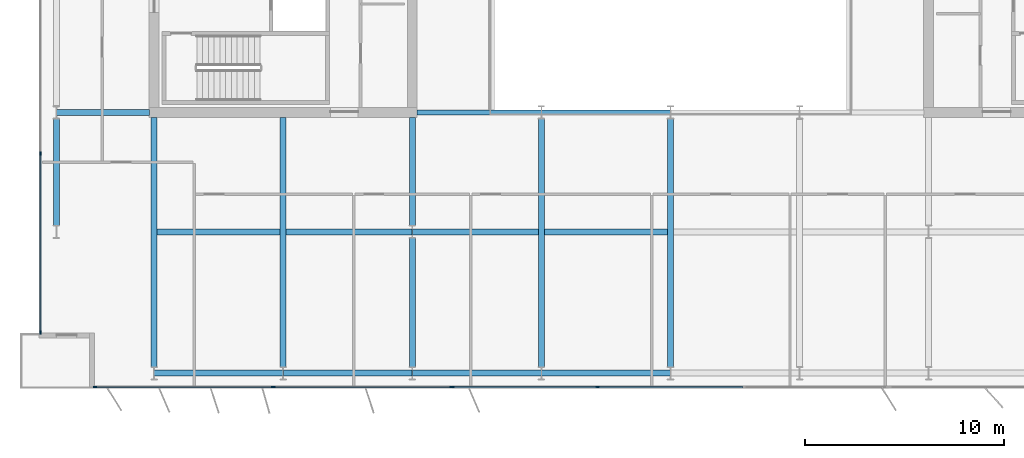
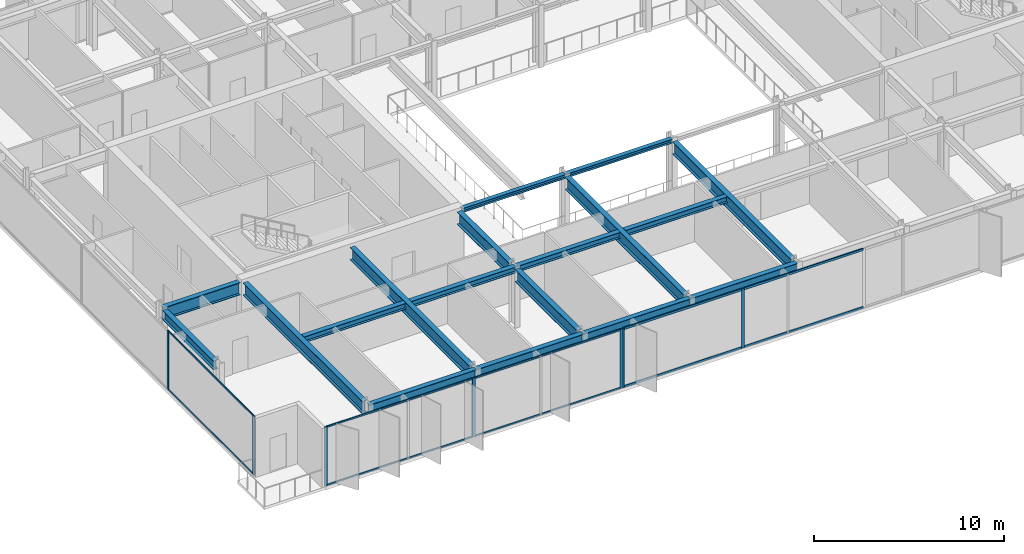
# One storey, part 4 of 20: 18 beams, 17 members, 3 elements without a shape of their own.
"""IFC4 building model written with IfcOpenShell, lengths in metres."""

from ifc_helpers import new_model, si_unit, direction, frame, origin, origin_2d, place, context, subcontext, project, spatial, rectangle, i_section, extrude, material, layer, layer_set, material_profile, profile_set, type_object, element, aggregate, save


model = new_model("IFC4")

# Units and contexts
model_context = context("Model", 3, precision=1e-05, world=origin(), true_north=direction((0.0, 1.0)))
body_context = subcontext(model_context, "Body", "Model", "MODEL_VIEW")
ifc_project = project(units=[si_unit("LENGTHUNIT", "METRE"), si_unit("AREAUNIT", "SQUARE_METRE"), si_unit("VOLUMEUNIT", "CUBIC_METRE"), si_unit("PLANEANGLEUNIT", "RADIAN"), si_unit("MASSUNIT", "GRAM", prefix="KILO")], contexts=[model_context])

# Site, building, storey
site_placement = place(None, origin())
site = spatial("IfcSite", under=ifc_project, at=site_placement, CompositionType="ELEMENT")
building_placement = place(site_placement, origin())
building = spatial("IfcBuilding", under=site, at=building_placement, Name="Putna Gate Headquarters", CompositionType="ELEMENT")
storey_placement = place(building_placement, frame((0.0, 0.0, 286.39990234375)))
storey = spatial("IfcBuildingStorey", under=building, at=storey_placement, Name="L72", CompositionType="ELEMENT", Elevation=286.39990234375)

# Beams
ifc_material_1 = material(Name="Steel S355J2", Category="steel")
ifc_material_profile_1 = material_profile(ifc_material_1, i_section(OverallWidth=0.260009765625, OverallDepth=0.260009765625, WebThickness=0.010009765625, FlangeThickness=0.017578125, at=origin_2d()), Name="Steel S355J2")
ifc_profile_set_1 = profile_set([ifc_material_profile_1], Name="Steel S355J2")
beam_type_1 = type_object("IfcBeamType", Name="BM-ATRIUM-HEB260", PredefinedType="BEAM", material=ifc_profile_set_1)
beam_1_placement = place(storey_placement, frame((26.235107421875, 19.0, 3.658203125), z_axis=(1.0, 0.0, 0.0), x_axis=(0.0, 1.0, 0.0)))
element("IfcBeam", 1, at=beam_1_placement, inside=storey, type_object=beam_type_1, Name="L72 Atrium Edge Beam AS1", PredefinedType="BEAM", context=body_context, shape_type="SweptSolid", body=[
    extrude(i_section(OverallWidth=0.260009765625, OverallDepth=0.260009765625, WebThickness=0.010009765625, FlangeThickness=0.017578125, at=origin_2d()), origin(), (0.0, 0.0, 1.0), 6.2587890625),
])
beam_2_placement = place(storey_placement, frame((32.506103515625, 19.0, 3.658203125), z_axis=(1.0, 0.0, 0.0), x_axis=(0.0, 1.0, 0.0)))
element("IfcBeam", 2, at=beam_2_placement, inside=storey, type_object=beam_type_1, Name="L72 Atrium Edge Beam AS2", PredefinedType="BEAM", context=body_context, shape_type="SweptSolid", body=[
    extrude(i_section(OverallWidth=0.260009765625, OverallDepth=0.260009765625, WebThickness=0.010009765625, FlangeThickness=0.017578125, at=origin_2d()), origin(), (0.0, 0.0, 1.0), 6.48779296875),
])
ifc_material_profile_2 = material_profile(ifc_material_1, i_section(OverallWidth=0.300048828125, OverallDepth=0.800048828125, WebThickness=0.017578125, FlangeThickness=0.032958984375, at=origin_2d()), Name="Steel S355J2")
ifc_profile_set_2 = profile_set([ifc_material_profile_2], Name="Steel S355J2")
beam_type_2 = type_object("IfcBeamType", Name="BM-GIRD-P-HEB800", PredefinedType="USERDEFINED", material=ifc_profile_set_2)
beam_3_placement = place(storey_placement, frame((8.0859375, 19.0, 3.38818359375), z_axis=(1.0, 0.0, 0.0), x_axis=(0.0, 1.0, 0.0)))
element("IfcBeam", 3, at=beam_3_placement, inside=storey, type_object=beam_type_2, Name="L72 West Wing Girder Y19", ObjectType="GIRDER", PredefinedType="USERDEFINED", context=body_context, shape_type="SweptSolid", body=[
    extrude(i_section(OverallWidth=0.300048828125, OverallDepth=0.800048828125, WebThickness=0.017578125, FlangeThickness=0.032958984375, at=origin_2d()), origin(), (0.0, 0.0, 1.0), 4.678955078125),
])
for number, where, z_axis, x_axis, name in (
    (4, (13.0, 6.201904296875, 3.38818359375), (0.0, 1.0, 0.0), (-1.0, 0.0, 0.0), "L72 South Primary Girder X13"),
    (5, (19.5, 6.201904296875, 3.38818359375), (0.0, 1.0, 0.0), (-1.0, 0.0, 0.0), "L72 South Primary Girder X19"),
):
    element("IfcBeam", number, at=place(storey_placement, frame(where, z_axis=z_axis, x_axis=x_axis)), inside=storey, type_object=beam_type_2, Name=name, ObjectType="GIRDER", PredefinedType="USERDEFINED", context=body_context, shape_type="SweptSolid", body=[
        extrude(i_section(OverallWidth=0.300048828125, OverallDepth=0.800048828125, WebThickness=0.017578125, FlangeThickness=0.032958984375, at=origin_2d()), origin(), (0.0, 0.0, 1.0), 12.56298828125),
    ])
beam_4_placement = place(storey_placement, frame((26.0, 6.201904296875, 3.38818359375), z_axis=(0.0, 1.0, 0.0), x_axis=(-1.0, 0.0, 0.0)))
element("IfcBeam", 6, at=beam_4_placement, inside=storey, type_object=beam_type_2, Name="L72 South Primary Girder X26-1", ObjectType="GIRDER", PredefinedType="USERDEFINED", context=body_context, shape_type="SweptSolid", body=[
    extrude(i_section(OverallWidth=0.300048828125, OverallDepth=0.800048828125, WebThickness=0.017578125, FlangeThickness=0.032958984375, at=origin_2d()), origin(), (0.0, 0.0, 1.0), 6.47607421875),
])
beam_5_placement = place(storey_placement, frame((26.0, 13.322021484375, 3.38818359375), z_axis=(0.0, 1.0, 0.0), x_axis=(-1.0, 0.0, 0.0)))
element("IfcBeam", 7, at=beam_5_placement, inside=storey, type_object=beam_type_2, Name="L72 South Primary Girder X26-2", ObjectType="GIRDER", PredefinedType="USERDEFINED", context=body_context, shape_type="SweptSolid", body=[
    extrude(i_section(OverallWidth=0.300048828125, OverallDepth=0.800048828125, WebThickness=0.017578125, FlangeThickness=0.032958984375, at=origin_2d()), origin(), (0.0, 0.0, 1.0), 5.44287109375),
])
for number, where, z_axis, x_axis, name in (
    (8, (32.5, 6.201904296875, 3.38818359375), (0.0, 1.0, 0.0), (-1.0, 0.0, 0.0), "L72 South Primary Girder X32"),
    (9, (39.0, 6.201904296875, 3.38818359375), (0.0, 1.0, 0.0), (-1.0, 0.0, 0.0), "L72 South Primary Girder X39"),
):
    element("IfcBeam", number, at=place(storey_placement, frame(where, z_axis=z_axis, x_axis=x_axis)), inside=storey, type_object=beam_type_2, Name=name, ObjectType="GIRDER", PredefinedType="USERDEFINED", context=body_context, shape_type="SweptSolid", body=[
        extrude(i_section(OverallWidth=0.300048828125, OverallDepth=0.800048828125, WebThickness=0.017578125, FlangeThickness=0.032958984375, at=origin_2d()), origin(), (0.0, 0.0, 1.0), 12.47607421875),
    ])
ifc_material_profile_3 = material_profile(ifc_material_1, i_section(OverallWidth=0.300048828125, OverallDepth=0.389892578125, WebThickness=0.010986328125, FlangeThickness=0.01904296875, at=origin_2d()), Name="Steel S355J2")
ifc_profile_set_3 = profile_set([ifc_material_profile_3], Name="Steel S355J2")
beam_type_3 = type_object("IfcBeamType", Name="BM-SEC-Z5-HEA400", PredefinedType="BEAM", material=ifc_profile_set_3)
beam_6_placement = place(storey_placement, frame((13.154052734375, 13.0, 3.593017578125), z_axis=(1.0, 0.0, 0.0), x_axis=(0.0, 1.0, 0.0)))
element("IfcBeam", 10, at=beam_6_placement, inside=storey, type_object=beam_type_3, Name="L72 South Secondary Beam 1", PredefinedType="BEAM", context=body_context, shape_type="SweptSolid", body=[
    extrude(i_section(OverallWidth=0.300048828125, OverallDepth=0.389892578125, WebThickness=0.010986328125, FlangeThickness=0.01904296875, at=origin_2d()), origin(), (0.0, 0.0, 1.0), 6.19189453125),
])
for number, where, z_axis, x_axis, name in (
    (11, (19.654052734375, 13.0, 3.593017578125), (1.0, 0.0, 0.0), (0.0, 1.0, 0.0), "L72 South Secondary Beam 2"),
    (12, (26.006103515625, 13.0, 3.593017578125), (1.0, 0.0, 0.0), (0.0, 1.0, 0.0), "L72 South Secondary Beam 3"),
):
    element("IfcBeam", number, at=place(storey_placement, frame(where, z_axis=z_axis, x_axis=x_axis)), inside=storey, type_object=beam_type_3, Name=name, PredefinedType="BEAM", context=body_context, shape_type="SweptSolid", body=[
        extrude(i_section(OverallWidth=0.300048828125, OverallDepth=0.389892578125, WebThickness=0.010986328125, FlangeThickness=0.01904296875, at=origin_2d()), origin(), (0.0, 0.0, 1.0), 6.33984375),
    ])
beam_7_placement = place(storey_placement, frame((32.654052734375, 13.0, 3.593017578125), z_axis=(1.0, 0.0, 0.0), x_axis=(0.0, 1.0, 0.0)))
element("IfcBeam", 13, at=beam_7_placement, inside=storey, type_object=beam_type_3, Name="L72 South Secondary Beam 4", PredefinedType="BEAM", context=body_context, shape_type="SweptSolid", body=[
    extrude(i_section(OverallWidth=0.300048828125, OverallDepth=0.389892578125, WebThickness=0.010986328125, FlangeThickness=0.01904296875, at=origin_2d()), origin(), (0.0, 0.0, 1.0), 6.19189453125),
])
ifc_material_profile_4 = material_profile(ifc_material_1, i_section(OverallWidth=0.300048828125, OverallDepth=0.590087890625, WebThickness=0.012939453125, FlangeThickness=0.02490234375, at=origin_2d()), Name="Steel S355J2")
ifc_profile_set_4 = profile_set([ifc_material_profile_4], Name="Steel S355J2")
beam_type_4 = type_object("IfcBeamType", Name="BM-SPAN-Z4-HEA600", PredefinedType="SPANDREL", material=ifc_profile_set_4)
for number, where, z_axis, x_axis, name in (
    (14, (13.006103515625, 5.8798828125, 3.4931640625), (1.0, 0.0, 0.0), (0.0, 1.0, 0.0), "L72 S Perimeter Spandrel 1"),
    (15, (19.506103515625, 5.8798828125, 3.4931640625), (1.0, 0.0, 0.0), (0.0, 1.0, 0.0), "L72 S Perimeter Spandrel 2"),
    (16, (26.006103515625, 5.8798828125, 3.4931640625), (1.0, 0.0, 0.0), (0.0, 1.0, 0.0), "L72 S Perimeter Spandrel 3"),
    (17, (32.506103515625, 5.8798828125, 3.4931640625), (1.0, 0.0, 0.0), (0.0, 1.0, 0.0), "L72 S Perimeter Spandrel 4"),
):
    element("IfcBeam", number, at=place(storey_placement, frame(where, z_axis=z_axis, x_axis=x_axis)), inside=storey, type_object=beam_type_4, Name=name, PredefinedType="SPANDREL", context=body_context, shape_type="SweptSolid", body=[
        extrude(i_section(OverallWidth=0.300048828125, OverallDepth=0.590087890625, WebThickness=0.012939453125, FlangeThickness=0.02490234375, at=origin_2d()), origin(), (0.0, 0.0, 1.0), 6.48779296875),
    ])
beam_8_placement = place(storey_placement, frame((8.080078125, 13.322021484375, 3.4931640625), z_axis=(0.0, 1.0, 0.0), x_axis=(-1.0, 0.0, 0.0)))
element("IfcBeam", 18, at=beam_8_placement, inside=storey, type_object=beam_type_4, Name="L72 W End Spandrel 1", PredefinedType="SPANDREL", context=body_context, shape_type="SweptSolid", body=[
    extrude(i_section(OverallWidth=0.300048828125, OverallDepth=0.590087890625, WebThickness=0.012939453125, FlangeThickness=0.02490234375, at=origin_2d()), origin(), (0.0, 0.0, 1.0), 5.35595703125),
])

# Curtain wall, members
ifc_material_2 = material(Name="Anodised bronze aluminium curtain wall", Category="aluminium")
ifc_layer_1 = layer(ifc_material_2, 0.179931640625)
ifc_layer_set_1 = layer_set([ifc_layer_1], Name="Anodised bronze aluminium curtain wall")
curtain_wall_type_1 = type_object("IfcCurtainWallType", Name="CW-SYS-Z5", PredefinedType="USERDEFINED", material=ifc_layer_set_1)
curtain_wall_1_placement = place(storey_placement, origin())
curtain_wall_1 = element("IfcCurtainWall", 19, at=curtain_wall_1_placement, inside=storey, type_object=curtain_wall_type_1, Name="L72 South West Curtain Wall", ObjectType="STICK CURTAIN WALL", PredefinedType="USERDEFINED")
ifc_material_3 = material(Name="Anodised bronze aluminium EN AW-6060", Category="aluminium")
ifc_material_profile_5 = material_profile(ifc_material_3, rectangle(XDim=0.070068359375, YDim=0.179931640625, at=origin_2d()), Name="Anodised bronze aluminium EN AW-6060")
ifc_profile_set_5 = profile_set([ifc_material_profile_5], Name="Anodised bronze aluminium EN AW-6060")
member_type_1 = type_object("IfcMemberType", Name="MULL-CWM-5", PredefinedType="MULLION", material=ifc_profile_set_5)
member_1_placement = place(storey_placement, frame((10.034912109375, 5.179931640625, 0.0), z_axis=(0.0, 0.0, 1.0), x_axis=(0.0, 1.0, 0.0)))
member_1 = element("IfcMember", 20, at=member_1_placement, type_object=member_type_1, Name="CWS-5 mullion 1", PredefinedType="MULLION", context=body_context, shape_type="SweptSolid", body=[
    extrude(rectangle(XDim=0.070068359375, YDim=0.179931640625, at=origin_2d()), origin(), (0.0, 0.0, 1.0), 3.7880859375),
])
member_2_placement = place(storey_placement, frame((19.0, 5.179931640625, 0.0), z_axis=(0.0, 0.0, 1.0), x_axis=(0.0, 1.0, 0.0)))
member_2 = element("IfcMember", 21, at=member_2_placement, type_object=member_type_1, Name="CWS-5 mullion 2", PredefinedType="MULLION", context=body_context, shape_type="SweptSolid", body=[
    extrude(rectangle(XDim=0.070068359375, YDim=0.179931640625, at=origin_2d()), origin(), (0.0, 0.0, 1.0), 3.7880859375),
])
member_3_placement = place(storey_placement, frame((27.965087890625, 5.179931640625, 0.0), z_axis=(0.0, 0.0, 1.0), x_axis=(0.0, 1.0, 0.0)))
member_3 = element("IfcMember", 22, at=member_3_placement, type_object=member_type_1, Name="CWS-5 mullion 3", PredefinedType="MULLION", context=body_context, shape_type="SweptSolid", body=[
    extrude(rectangle(XDim=0.070068359375, YDim=0.179931640625, at=origin_2d()), origin(), (0.0, 0.0, 1.0), 3.7880859375),
])

curtain_wall_2_placement = place(storey_placement, origin())
curtain_wall_2 = element("IfcCurtainWall", 23, at=curtain_wall_2_placement, inside=storey, type_object=curtain_wall_type_1, Name="L72 West Curtain Wall", ObjectType="STICK CURTAIN WALL", PredefinedType="USERDEFINED")
member_4_placement = place(storey_placement, frame((7.280029296875, 7.93505859375, 0.0), z_axis=(0.0, 0.0, 1.0), x_axis=(-1.0, 0.0, 0.0)))
member_4 = element("IfcMember", 24, at=member_4_placement, type_object=member_type_1, Name="CWS-5 mullion 1", PredefinedType="MULLION", context=body_context, shape_type="SweptSolid", body=[
    extrude(rectangle(XDim=0.070068359375, YDim=0.179931640625, at=origin_2d()), origin(), (0.0, 0.0, 1.0), 3.7880859375),
])
member_5_placement = place(storey_placement, frame((7.280029296875, 16.949951171875, 0.0), z_axis=(0.0, 0.0, 1.0), x_axis=(-1.0, 0.0, 0.0)))
member_5 = element("IfcMember", 25, at=member_5_placement, type_object=member_type_1, Name="CWS-5 mullion 2", PredefinedType="MULLION", context=body_context, shape_type="SweptSolid", body=[
    extrude(rectangle(XDim=0.070068359375, YDim=0.179931640625, at=origin_2d()), origin(), (0.0, 0.0, 1.0), 3.7880859375),
])

ifc_layer_2 = layer(ifc_material_2, 0.179931640625)
ifc_layer_set_2 = layer_set([ifc_layer_2], Name="Anodised bronze aluminium curtain wall")
curtain_wall_type_2 = type_object("IfcCurtainWallType", Name="CW-SYS-ATR", PredefinedType="USERDEFINED", material=ifc_layer_set_2)
curtain_wall_3_placement = place(storey_placement, origin())
curtain_wall_3 = element("IfcCurtainWall", 26, at=curtain_wall_3_placement, inside=storey, type_object=curtain_wall_type_2, Name="L72 South Atrium Clear Glazing", ObjectType="ATRIUM GLAZING", PredefinedType="USERDEFINED")
ifc_material_profile_6 = material_profile(ifc_material_3, rectangle(XDim=0.070068359375, YDim=0.179931640625, at=origin_2d()), Name="Anodised bronze aluminium EN AW-6060")
ifc_profile_set_6 = profile_set([ifc_material_profile_6], Name="Anodised bronze aluminium EN AW-6060")
member_type_2 = type_object("IfcMemberType", Name="MULL-CWM-AT", PredefinedType="MULLION", material=ifc_profile_set_6)
member_6_placement = place(storey_placement, frame((28.034912109375, 5.179931640625, 0.0), z_axis=(0.0, 0.0, 1.0), x_axis=(0.0, 1.0, 0.0)))
member_6 = element("IfcMember", 27, at=member_6_placement, type_object=member_type_2, Name="CWS-AT mullion 1", PredefinedType="MULLION", context=body_context, shape_type="SweptSolid", body=[
    extrude(rectangle(XDim=0.070068359375, YDim=0.179931640625, at=origin_2d()), origin(), (0.0, 0.0, 1.0), 3.7880859375),
])
member_7_placement = place(storey_placement, frame((35.333251953125, 5.179931640625, 0.0), z_axis=(0.0, 0.0, 1.0), x_axis=(0.0, 1.0, 0.0)))
member_7 = element("IfcMember", 28, at=member_7_placement, type_object=member_type_2, Name="CWS-AT mullion 2", PredefinedType="MULLION", context=body_context, shape_type="SweptSolid", body=[
    extrude(rectangle(XDim=0.070068359375, YDim=0.179931640625, at=origin_2d()), origin(), (0.0, 0.0, 1.0), 3.7880859375),
])

# Member
ifc_material_profile_7 = material_profile(ifc_material_3, rectangle(XDim=0.06005859375, YDim=0.10009765625, at=origin_2d()), Name="Anodised bronze aluminium EN AW-6060")
ifc_profile_set_7 = profile_set([ifc_material_profile_7], Name="Anodised bronze aluminium EN AW-6060")
member_type_3 = type_object("IfcMemberType", Name="TRAN-CWT-5", PredefinedType="USERDEFINED", material=ifc_profile_set_7)
member_8_placement = place(storey_placement, frame((10.070068359375, 5.179931640625, 0.030029296875), z_axis=(1.0, 0.0, 0.0), x_axis=(0.0, 1.0, 0.0)))
member_8 = element("IfcMember", 29, at=member_8_placement, type_object=member_type_3, Name="CWS-5 transom 1.1", ObjectType="TRANSOM", PredefinedType="USERDEFINED", context=body_context, shape_type="SweptSolid", body=[
    extrude(rectangle(XDim=0.06005859375, YDim=0.10009765625, at=origin_2d()), origin(), (0.0, 0.0, 1.0), 8.89501953125),
])

member_9_placement = place(storey_placement, frame((10.070068359375, 5.179931640625, 3.758056640625), z_axis=(1.0, 0.0, 0.0), x_axis=(0.0, 1.0, 0.0)))
member_9 = element("IfcMember", 30, at=member_9_placement, type_object=member_type_3, Name="CWS-5 transom 1.2", ObjectType="TRANSOM", PredefinedType="USERDEFINED", context=body_context, shape_type="SweptSolid", body=[
    extrude(rectangle(XDim=0.06005859375, YDim=0.10009765625, at=origin_2d()), origin(), (0.0, 0.0, 1.0), 8.89501953125),
])

member_10_placement = place(storey_placement, frame((19.034912109375, 5.179931640625, 0.030029296875), z_axis=(1.0, 0.0, 0.0), x_axis=(0.0, 1.0, 0.0)))
member_10 = element("IfcMember", 31, at=member_10_placement, type_object=member_type_3, Name="CWS-5 transom 2.1", ObjectType="TRANSOM", PredefinedType="USERDEFINED", context=body_context, shape_type="SweptSolid", body=[
    extrude(rectangle(XDim=0.06005859375, YDim=0.10009765625, at=origin_2d()), origin(), (0.0, 0.0, 1.0), 8.89501953125),
])

member_11_placement = place(storey_placement, frame((19.034912109375, 5.179931640625, 3.758056640625), z_axis=(1.0, 0.0, 0.0), x_axis=(0.0, 1.0, 0.0)))
member_11 = element("IfcMember", 32, at=member_11_placement, type_object=member_type_3, Name="CWS-5 transom 2.2", ObjectType="TRANSOM", PredefinedType="USERDEFINED", context=body_context, shape_type="SweptSolid", body=[
    extrude(rectangle(XDim=0.06005859375, YDim=0.10009765625, at=origin_2d()), origin(), (0.0, 0.0, 1.0), 8.89501953125),
])

aggregate(curtain_wall_1, [member_1, member_2, member_3, member_8, member_9, member_10, member_11])

member_12_placement = place(storey_placement, frame((7.280029296875, 7.969970703125, 0.030029296875), z_axis=(0.0, 1.0, 0.0), x_axis=(-1.0, 0.0, 0.0)))
member_12 = element("IfcMember", 33, at=member_12_placement, type_object=member_type_3, Name="CWS-5 transom 1.1", ObjectType="TRANSOM", PredefinedType="USERDEFINED", context=body_context, shape_type="SweptSolid", body=[
    extrude(rectangle(XDim=0.06005859375, YDim=0.10009765625, at=origin_2d()), origin(), (0.0, 0.0, 1.0), 8.945068359375),
])

member_13_placement = place(storey_placement, frame((7.280029296875, 7.969970703125, 3.758056640625), z_axis=(0.0, 1.0, 0.0), x_axis=(-1.0, 0.0, 0.0)))
member_13 = element("IfcMember", 34, at=member_13_placement, type_object=member_type_3, Name="CWS-5 transom 1.2", ObjectType="TRANSOM", PredefinedType="USERDEFINED", context=body_context, shape_type="SweptSolid", body=[
    extrude(rectangle(XDim=0.06005859375, YDim=0.10009765625, at=origin_2d()), origin(), (0.0, 0.0, 1.0), 8.945068359375),
])

aggregate(curtain_wall_2, [member_4, member_5, member_12, member_13])

ifc_material_profile_8 = material_profile(ifc_material_3, rectangle(XDim=0.070068359375, YDim=0.139892578125, at=origin_2d()), Name="Anodised bronze aluminium EN AW-6060")
ifc_profile_set_8 = profile_set([ifc_material_profile_8], Name="Anodised bronze aluminium EN AW-6060")
member_type_4 = type_object("IfcMemberType", Name="TRAN-CWT-AT", PredefinedType="USERDEFINED", material=ifc_profile_set_8)
member_14_placement = place(storey_placement, frame((28.070068359375, 5.179931640625, 0.03515625), z_axis=(1.0, 0.0, 0.0), x_axis=(0.0, 1.0, 0.0)))
member_14 = element("IfcMember", 35, at=member_14_placement, type_object=member_type_4, Name="CWS-AT transom 1.1", ObjectType="TRANSOM", PredefinedType="USERDEFINED", context=body_context, shape_type="SweptSolid", body=[
    extrude(rectangle(XDim=0.070068359375, YDim=0.139892578125, at=origin_2d()), origin(), (0.0, 0.0, 1.0), 7.228271484375),
])

member_15_placement = place(storey_placement, frame((28.070068359375, 5.179931640625, 3.753173828125), z_axis=(1.0, 0.0, 0.0), x_axis=(0.0, 1.0, 0.0)))
member_15 = element("IfcMember", 36, at=member_15_placement, type_object=member_type_4, Name="CWS-AT transom 1.2", ObjectType="TRANSOM", PredefinedType="USERDEFINED", context=body_context, shape_type="SweptSolid", body=[
    extrude(rectangle(XDim=0.070068359375, YDim=0.139892578125, at=origin_2d()), origin(), (0.0, 0.0, 1.0), 7.228271484375),
])

member_16_placement = place(storey_placement, frame((35.368408203125, 5.179931640625, 0.03515625), z_axis=(1.0, 0.0, 0.0), x_axis=(0.0, 1.0, 0.0)))
member_16 = element("IfcMember", 37, at=member_16_placement, type_object=member_type_4, Name="CWS-AT transom 2.1", ObjectType="TRANSOM", PredefinedType="USERDEFINED", context=body_context, shape_type="SweptSolid", body=[
    extrude(rectangle(XDim=0.070068359375, YDim=0.139892578125, at=origin_2d()), origin(), (0.0, 0.0, 1.0), 7.26318359375),
])

member_17_placement = place(storey_placement, frame((35.368408203125, 5.179931640625, 3.753173828125), z_axis=(1.0, 0.0, 0.0), x_axis=(0.0, 1.0, 0.0)))
member_17 = element("IfcMember", 38, at=member_17_placement, type_object=member_type_4, Name="CWS-AT transom 2.2", ObjectType="TRANSOM", PredefinedType="USERDEFINED", context=body_context, shape_type="SweptSolid", body=[
    extrude(rectangle(XDim=0.070068359375, YDim=0.139892578125, at=origin_2d()), origin(), (0.0, 0.0, 1.0), 7.26318359375),
])

aggregate(curtain_wall_3, [member_6, member_7, member_14, member_15, member_16, member_17])

save(model, "model.ifc")
